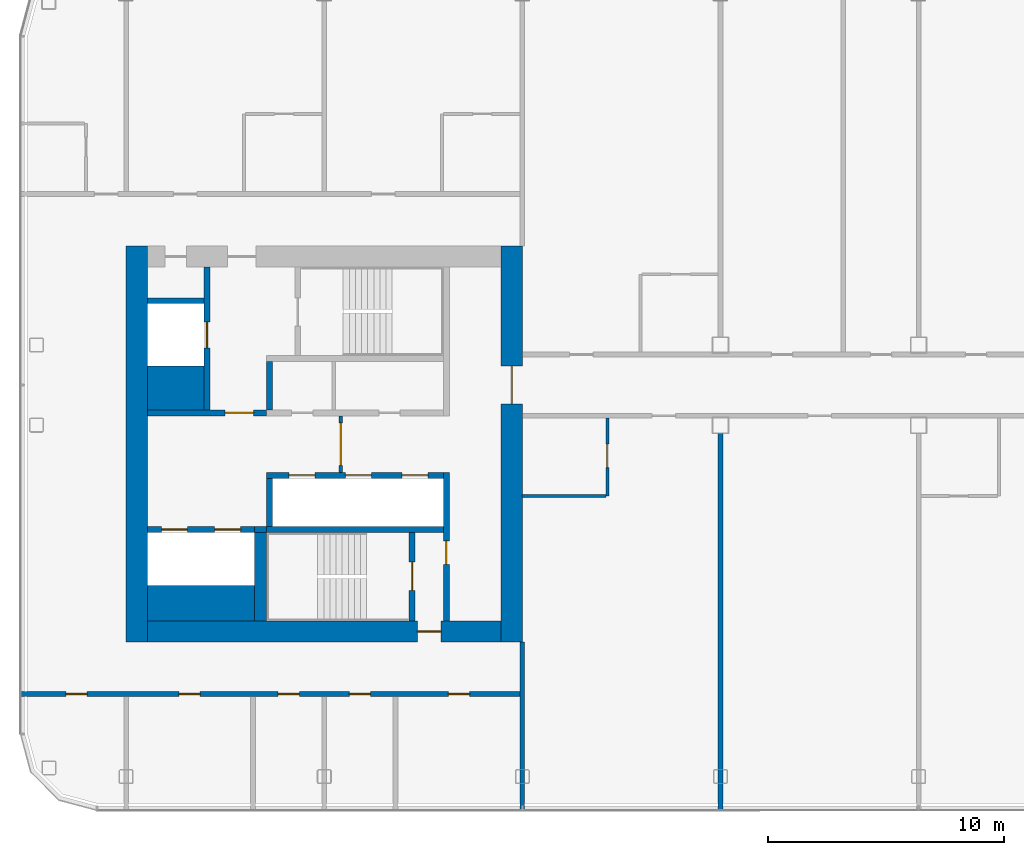
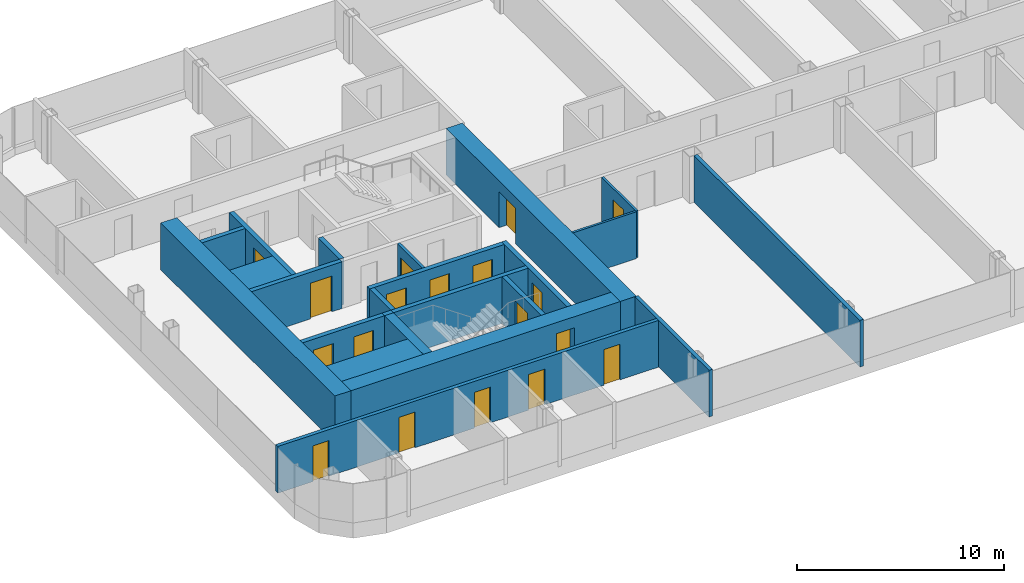
# One storey, part 13 of 25: 23 walls, 18 doors, 18 openings.
"""IFC4 building model written with IfcOpenShell, lengths in metres."""

from ifc_helpers import new_model, si_unit, direction, frame, frame_2d, origin, place, context, subcontext, project, spatial, rectangle, extrude, material, layer, layer_set, type_object, element, fill, save


model = new_model("IFC4")

# Units and contexts
model_context = context("Model", 3, precision=1e-05, world=origin(), true_north=direction((0.0, 1.0)))
body_context = subcontext(model_context, "Body", "Model", "MODEL_VIEW")
ifc_project = project(units=[si_unit("LENGTHUNIT", "METRE"), si_unit("AREAUNIT", "SQUARE_METRE"), si_unit("VOLUMEUNIT", "CUBIC_METRE"), si_unit("PLANEANGLEUNIT", "RADIAN"), si_unit("MASSUNIT", "GRAM", prefix="KILO")], contexts=[model_context])

# Site, building, storey
site_placement = place(None, origin())
site = spatial("IfcSite", under=ifc_project, at=site_placement, CompositionType="ELEMENT")
building_placement = place(site_placement, origin())
building = spatial("IfcBuilding", under=site, at=building_placement, Name="Hakoniwa Tower and Hamabe Station Hall", CompositionType="ELEMENT")
storey_placement = place(building_placement, frame((0.0, 0.0, 186.60009765625)))
storey = spatial("IfcBuildingStorey", under=building, at=storey_placement, Name="L52", CompositionType="ELEMENT", Elevation=186.60009765625)

# Wall
ifc_material_1 = material(Name="Gypsum board partition", Category="gypsum")
ifc_layer_1 = layer(ifc_material_1, 0.125)
ifc_layer_set_1 = layer_set([ifc_layer_1], Name="Bathroom Partition 125")
wall_type_1 = type_object("IfcWallType", Name="Bathroom Partition 125", PredefinedType="PARTITIONING", material=ifc_layer_set_1)
wall_1_placement = place(storey_placement, frame((-16.81005859375, -2.199951171875, 0.0), z_axis=(0.0, 0.0, 1.0), x_axis=(1.0, 0.0, 0.0)))
element("IfcWall", 1, at=wall_1_placement, inside=storey, type_object=wall_type_1, Name="GW-L52-003", PredefinedType="PARTITIONING", context=body_context, shape_type="SweptSolid", body=[
    extrude(rectangle(XDim=3.547607421875, YDim=0.125, at=frame_2d((1.77392578125, 0.0))), origin(), (0.0, 0.0, 1.0), 2.75),
])

# Wall, opening, door
wall_2_placement = place(storey_placement, frame((-13.199951171875, -2.199951171875, 0.0), z_axis=(0.0, 0.0, 1.0), x_axis=(0.0, 1.0, 0.0)))
wall_2 = element("IfcWall", 2, at=wall_2_placement, inside=storey, type_object=wall_type_1, Name="GW-L52-028", PredefinedType="PARTITIONING", context=body_context, shape_type="SweptSolid", body=[
    extrude(rectangle(XDim=3.300048828125, YDim=0.125, at=frame_2d((1.64990234375, 0.0))), origin(), (0.0, 0.0, 1.0), 2.75),
])
opening_1_placement = place(wall_2_placement, frame((1.199951171875, 0.0, 0.0)))
opening_1 = element("IfcOpeningElement", 3, at=opening_1_placement, cuts=wall_2, Name="Opening GD-G4A0-36", PredefinedType="OPENING", context=body_context, shape_type="SweptSolid", body=[
    extrude(rectangle(XDim=1.0, YDim=2.10009765625, at=frame_2d((0.5, 1.050048828125))), frame((0.0, 0.072509765625, 0.0), z_axis=(0.0, -1.0, 0.0), x_axis=(1.0, 0.0, 0.0)), (0.0, 0.0, 1.0), 0.14501953125),
])
ifc_material_2 = material(Name="Timber door leaf", Category="wood")
door_type_1 = type_object("IfcDoorType", Name="Accessible Bathroom Door 1000", OperationType="SINGLE_SWING_LEFT", PredefinedType="DOOR", material=ifc_material_2)
door_1_placement = place(opening_1_placement, origin())
door_1 = element("IfcDoor", 4, at=door_1_placement, inside=storey, type_object=door_type_1, Name="Door GD-G4A0-36", OperationType="SINGLE_SWING_LEFT", OverallHeight=2.10009765625, OverallWidth=1.0, PredefinedType="DOOR", context=body_context, shape_type="SweptSolid", body=[
    extrude(rectangle(XDim=1.0, YDim=2.10009765625, at=frame_2d((0.5, 1.050048828125))), frame((0.0, 0.02490234375, 0.0), z_axis=(0.0, -1.0, 0.0), x_axis=(1.0, 0.0, 0.0)), (0.0, 0.0, 1.0), 0.050048828125),
])
fill(opening_1, door_1)

ifc_material_3 = material(Name="Gypsum board partition")
ifc_layer_2 = layer(ifc_material_3, 0.14990234375)
ifc_layer_set_2 = layer_set([ifc_layer_2], Name="CORE PARTITION 150 EI 60")
wall_type_2 = type_object("IfcWallType", Name="CORE PARTITION 150 EI 60", PredefinedType="PARTITIONING", material=ifc_layer_set_2)
wall_3_placement = place(storey_placement, frame((-24.5, -1.199951171875, 0.0), z_axis=(0.0, 0.0, 1.0), x_axis=(0.0, 1.0, 0.0)))
wall_3 = element("IfcWall", 5, at=wall_3_placement, inside=storey, type_object=wall_type_2, Name="Core partition PL0 west", PredefinedType="PARTITIONING", context=body_context, shape_type="SweptSolid", body=[
    extrude(rectangle(XDim=2.39990234375, YDim=0.14990234375, at=frame_2d((1.199951171875, 0.0))), origin(), (0.0, 0.0, 1.0), 2.75),
])
opening_2_placement = place(wall_3_placement, frame((0.300048828125, 0.0, 0.0)))
opening_2 = element("IfcOpeningElement", 6, at=opening_2_placement, cuts=wall_3, Name="Opening CD-W-LP0-18", PredefinedType="OPENING", context=body_context, shape_type="SweptSolid", body=[
    extrude(rectangle(XDim=1.800048828125, YDim=2.10009765625, at=frame_2d((0.89990234375, 1.050048828125))), frame((0.0, 0.0849609375, 0.0), z_axis=(0.0, -1.0, 0.0), x_axis=(1.0, 0.0, 0.0)), (0.0, 0.0, 1.0), 0.169921875),
])
ifc_material_4 = material(Name="Steel fire door", Category="steel")
door_type_2 = type_object("IfcDoorType", Name="CORE DOOR 1800 FD60", OperationType="DOUBLE_DOOR_SINGLE_SWING", PredefinedType="DOOR", material=ifc_material_4)
door_2_placement = place(opening_2_placement, origin())
door_2 = element("IfcDoor", 7, at=door_2_placement, inside=storey, type_object=door_type_2, Name="Lift lobby partition door", OperationType="DOUBLE_DOOR_SINGLE_SWING", OverallHeight=2.10009765625, OverallWidth=1.800048828125, PredefinedType="DOOR", context=body_context, shape_type="SweptSolid", body=[
    extrude(rectangle(XDim=1.800048828125, YDim=2.10009765625, at=frame_2d((0.89990234375, 1.050048828125))), frame((0.0, 0.02490234375, 0.0), z_axis=(0.0, -1.0, 0.0), x_axis=(1.0, 0.0, 0.0)), (0.0, 0.0, 1.0), 0.050048828125),
])
fill(opening_2, door_2)

ifc_material_5 = material(Name="Concrete C60", Category="concrete")
ifc_layer_3 = layer(ifc_material_5, 0.89990234375)
ifc_layer_set_3 = layer_set([ifc_layer_3], Name="CORE WALL 900 C60")
wall_type_3 = type_object("IfcWallType", Name="CORE WALL 900 C60", PredefinedType="SHEAR", material=ifc_layer_set_3)
wall_4_placement = place(storey_placement, frame((-17.25, -8.39990234375, 0.0), z_axis=(0.0, 0.0, 1.0), x_axis=(0.0, 1.0, 0.0)))
wall_4 = element("IfcWall", 8, at=wall_4_placement, inside=storey, type_object=wall_type_3, Name="Core wall INNER west", PredefinedType="SHEAR", context=body_context, shape_type="SweptSolid", body=[
    extrude(rectangle(XDim=16.7998046875, YDim=0.89990234375, at=frame_2d((8.39990234375, 0.0))), origin(), (0.0, 0.0, 1.0), 2.75),
])
opening_3_placement = place(wall_4_placement, frame((10.10009765625, 0.0, 0.0)))
opening_3 = element("IfcOpeningElement", 9, at=opening_3_placement, cuts=wall_4, Name="Opening CD-W-IN1-16", PredefinedType="OPENING", context=body_context, shape_type="SweptSolid", body=[
    extrude(rectangle(XDim=1.60009765625, YDim=2.10009765625, at=frame_2d((0.800048828125, 1.050048828125))), frame((0.0, 0.4599609375, 0.0), z_axis=(0.0, -1.0, 0.0), x_axis=(1.0, 0.0, 0.0)), (0.0, 0.0, 1.0), 0.919921875),
])
ifc_material_6 = material(Name="Steel fire door", Category="steel")
door_type_3 = type_object("IfcDoorType", Name="CORE DOOR 1600 FD60", OperationType="DOUBLE_DOOR_SINGLE_SWING", PredefinedType="DOOR", material=ifc_material_6)
door_3_placement = place(opening_3_placement, origin())
door_3 = element("IfcDoor", 10, at=door_3_placement, inside=storey, type_object=door_type_3, Name="Lift lobby door", OperationType="DOUBLE_DOOR_SINGLE_SWING", OverallHeight=2.10009765625, OverallWidth=1.60009765625, PredefinedType="DOOR", context=body_context, shape_type="SweptSolid", body=[
    extrude(rectangle(XDim=1.60009765625, YDim=2.10009765625, at=frame_2d((0.800048828125, 1.050048828125))), frame((0.0, 0.02490234375, 0.0), z_axis=(0.0, -1.0, 0.0), x_axis=(1.0, 0.0, 0.0)), (0.0, 0.0, 1.0), 0.050048828125),
])
fill(opening_3, door_3)

# Wall
wall_5_placement = place(storey_placement, frame((-33.14990234375, -8.39990234375, 0.0), z_axis=(0.0, 0.0, 1.0), x_axis=(0.0, 1.0, 0.0)))
element("IfcWall", 11, at=wall_5_placement, inside=storey, type_object=wall_type_3, Name="Core wall OUTER west", PredefinedType="SHEAR", context=body_context, shape_type="SweptSolid", body=[
    extrude(rectangle(XDim=16.7998046875, YDim=0.89990234375, at=frame_2d((8.39990234375, 0.0))), origin(), (0.0, 0.0, 1.0), 2.75),
])

# Wall, opening, door
wall_6_placement = place(storey_placement, frame((-32.699951171875, -7.949951171875, 0.0), z_axis=(0.0, 0.0, 1.0), x_axis=(1.0, 0.0, 0.0)))
wall_6 = element("IfcWall", 12, at=wall_6_placement, inside=storey, type_object=wall_type_3, Name="Core wall SOUTH west", PredefinedType="SHEAR", context=body_context, shape_type="SweptSolid", body=[
    extrude(rectangle(XDim=15.0, YDim=0.89990234375, at=frame_2d((7.5, 0.0))), origin(), (0.0, 0.0, 1.0), 2.75),
])
opening_4_placement = place(wall_6_placement, frame((11.449951171875, 0.0, 0.0)))
opening_4 = element("IfcOpeningElement", 13, at=opening_4_placement, cuts=wall_6, Name="Opening CD-W-FS3-10", PredefinedType="OPENING", context=body_context, shape_type="SweptSolid", body=[
    extrude(rectangle(XDim=1.0, YDim=2.10009765625, at=frame_2d((0.5, 1.050048828125))), frame((0.0, 0.4599609375, 0.0), z_axis=(0.0, -1.0, 0.0), x_axis=(1.0, 0.0, 0.0)), (0.0, 0.0, 1.0), 0.919921875),
])
ifc_material_7 = material(Name="Steel fire door", Category="steel")
door_type_4 = type_object("IfcDoorType", Name="CORE DOOR 1000 FD60", OperationType="NOTDEFINED", PredefinedType="DOOR", material=ifc_material_7)
door_4_placement = place(opening_4_placement, origin())
door_4 = element("IfcDoor", 14, at=door_4_placement, inside=storey, type_object=door_type_4, Name="Stair vestibule door", OperationType="SINGLE_SWING_RIGHT", OverallHeight=2.10009765625, OverallWidth=1.0, PredefinedType="DOOR", context=body_context, shape_type="SweptSolid", body=[
    extrude(rectangle(XDim=1.0, YDim=2.10009765625, at=frame_2d((0.5, 1.050048828125))), frame((0.0, 0.02490234375, 0.0), z_axis=(0.0, -1.0, 0.0), x_axis=(1.0, 0.0, 0.0)), (0.0, 0.0, 1.0), 0.050048828125),
])
fill(opening_4, door_4)

# Walls
ifc_material_8 = material(Name="Concrete C60", Category="concrete")
ifc_layer_4 = layer(ifc_material_8, 1.5)
ifc_layer_set_4 = layer_set([ifc_layer_4], Name="CORE WEB WALL 1500 C60")
wall_type_4 = type_object("IfcWallType", Name="CORE WEB WALL 1500 C60", PredefinedType="SHEAR", material=ifc_layer_set_4)
wall_7_placement = place(storey_placement, frame((-32.699951171875, -6.75, 0.0), z_axis=(0.0, 0.0, 1.0), x_axis=(1.0, 0.0, 0.0)))
element("IfcWall", 15, at=wall_7_placement, inside=storey, type_object=wall_type_4, Name="Core wall SER west", PredefinedType="SHEAR", context=body_context, shape_type="SweptSolid", body=[
    extrude(rectangle(XDim=4.550048828125, YDim=1.5, at=frame_2d((2.27490234375, 0.0))), origin(), (0.0, 0.0, 1.0), 2.75),
])
ifc_material_9 = material(Name="Concrete C60", Category="concrete")
ifc_layer_5 = layer(ifc_material_9, 1.85009765625)
ifc_layer_set_5 = layer_set([ifc_layer_5], Name="CORE WEB WALL 1850 C60")
wall_type_5 = type_object("IfcWallType", Name="CORE WEB WALL 1850 C60", PredefinedType="SHEAR", material=ifc_layer_set_5)
wall_8_placement = place(storey_placement, frame((-32.699951171875, 2.375, 0.0), z_axis=(0.0, 0.0, 1.0), x_axis=(1.0, 0.0, 0.0)))
element("IfcWall", 16, at=wall_8_placement, inside=storey, type_object=wall_type_5, Name="Core wall CA west", PredefinedType="SHEAR", context=body_context, shape_type="SweptSolid", body=[
    extrude(rectangle(XDim=2.39990234375, YDim=1.85009765625, at=frame_2d((1.199951171875, 0.0))), origin(), (0.0, 0.0, 1.0), 2.75),
])

# Wall, opening, door
ifc_material_10 = material(Name="Concrete C60", Category="concrete")
ifc_layer_6 = layer(ifc_material_10, 0.25)
ifc_layer_set_6 = layer_set([ifc_layer_6], Name="CORE WEB WALL 250 C60")
wall_type_6 = type_object("IfcWallType", Name="CORE WEB WALL 250 C60", PredefinedType="SHEAR", material=ifc_layer_set_6)
wall_9_placement = place(storey_placement, frame((-20.02490234375, -7.5, 0.0), z_axis=(0.0, 0.0, 1.0), x_axis=(0.0, 1.0, 0.0)))
wall_9 = element("IfcWall", 17, at=wall_9_placement, inside=storey, type_object=wall_type_6, Name="Core wall W1S west", PredefinedType="SHEAR", context=body_context, shape_type="SweptSolid", body=[
    extrude(rectangle(XDim=6.300048828125, YDim=0.25, at=frame_2d((3.14990234375, 0.0))), origin(), (0.0, 0.0, 1.0), 2.75),
])
opening_5_placement = place(wall_9_placement, frame((2.39990234375, 0.0, 0.0)))
opening_5 = element("IfcOpeningElement", 18, at=opening_5_placement, cuts=wall_9, Name="Opening CD-W-VS-10", PredefinedType="OPENING", context=body_context, shape_type="SweptSolid", body=[
    extrude(rectangle(XDim=1.0, YDim=2.10009765625, at=frame_2d((0.5, 1.050048828125))), frame((0.0, 0.135009765625, 0.0), z_axis=(0.0, -1.0, 0.0), x_axis=(1.0, 0.0, 0.0)), (0.0, 0.0, 1.0), 0.27001953125),
])
door_5_placement = place(opening_5_placement, origin())
door_5 = element("IfcDoor", 19, at=door_5_placement, inside=storey, type_object=door_type_4, Name="Stair vestibule door", OperationType="SINGLE_SWING_LEFT", OverallHeight=2.10009765625, OverallWidth=1.0, PredefinedType="DOOR", context=body_context, shape_type="SweptSolid", body=[
    extrude(rectangle(XDim=1.0, YDim=2.10009765625, at=frame_2d((0.5, 1.050048828125))), frame((0.0, 0.02490234375, 0.0), z_axis=(0.0, -1.0, 0.0), x_axis=(1.0, 0.0, 0.0)), (0.0, 0.0, 1.0), 0.050048828125),
])
fill(opening_5, door_5)

# Wall
wall_10_placement = place(storey_placement, frame((-27.52490234375, 1.449951171875, 0.0), z_axis=(0.0, 0.0, 1.0), x_axis=(0.0, 1.0, 0.0)))
element("IfcWall", 20, at=wall_10_placement, inside=storey, type_object=wall_type_6, Name="Core wall NE west", PredefinedType="SHEAR", context=body_context, shape_type="SweptSolid", body=[
    extrude(rectangle(XDim=2.050048828125, YDim=0.25, at=frame_2d((1.02490234375, 0.0))), origin(), (0.0, 0.0, 1.0), 2.75),
])

# Wall, opening, door
wall_11_placement = place(storey_placement, frame((-32.699951171875, 1.324951171875, 0.0), z_axis=(0.0, 0.0, 1.0), x_axis=(1.0, 0.0, 0.0)))
wall_11 = element("IfcWall", 21, at=wall_11_placement, inside=storey, type_object=wall_type_6, Name="Core wall ELN west", PredefinedType="SHEAR", context=body_context, shape_type="SweptSolid", body=[
    extrude(rectangle(XDim=5.050048828125, YDim=0.25, at=frame_2d((2.52490234375, 0.0))), origin(), (0.0, 0.0, 1.0), 2.75),
])
opening_6_placement = place(wall_11_placement, frame((3.300048828125, 0.0, 0.0)))
opening_6 = element("IfcOpeningElement", 22, at=opening_6_placement, cuts=wall_11, Name="Opening CD-W-FL-12", PredefinedType="OPENING", context=body_context, shape_type="SweptSolid", body=[
    extrude(rectangle(XDim=1.199951171875, YDim=2.10009765625, at=frame_2d((0.60009765625, 1.050048828125))), frame((0.0, 0.135009765625, 0.0), z_axis=(0.0, -1.0, 0.0), x_axis=(1.0, 0.0, 0.0)), (0.0, 0.0, 1.0), 0.27001953125),
])
ifc_material_11 = material(Name="Steel fire door", Category="steel")
door_type_5 = type_object("IfcDoorType", Name="CORE DOOR 1200 FD60", OperationType="DOUBLE_DOOR_SINGLE_SWING", PredefinedType="DOOR", material=ifc_material_11)
door_6_placement = place(opening_6_placement, origin())
door_6 = element("IfcDoor", 23, at=door_6_placement, inside=storey, type_object=door_type_5, Name="Stair vestibule door to the fire-fighting lobby", OperationType="DOUBLE_DOOR_SINGLE_SWING", OverallHeight=2.10009765625, OverallWidth=1.199951171875, PredefinedType="DOOR", context=body_context, shape_type="SweptSolid", body=[
    extrude(rectangle(XDim=1.199951171875, YDim=2.10009765625, at=frame_2d((0.60009765625, 1.050048828125))), frame((0.0, 0.02490234375, 0.0), z_axis=(0.0, -1.0, 0.0), x_axis=(1.0, 0.0, 0.0)), (0.0, 0.0, 1.0), 0.050048828125),
])
fill(opening_6, door_6)

wall_12_placement = place(storey_placement, frame((-30.175048828125, 1.449951171875, 0.0), z_axis=(0.0, 0.0, 1.0), x_axis=(0.0, 1.0, 0.0)))
wall_12 = element("IfcWall", 24, at=wall_12_placement, inside=storey, type_object=wall_type_6, Name="Core wall FFF west", PredefinedType="SHEAR", context=body_context, shape_type="SweptSolid", body=[
    extrude(rectangle(XDim=6.050048828125, YDim=0.25, at=frame_2d((3.02490234375, 0.0))), origin(), (0.0, 0.0, 1.0), 2.75),
])
opening_7_placement = place(wall_12_placement, frame((2.625, 0.0, 0.0)))
opening_7 = element("IfcOpeningElement", 25, at=opening_7_placement, cuts=wall_12, Name="Opening LD-FF1", PredefinedType="OPENING", context=body_context, shape_type="SweptSolid", body=[
    extrude(rectangle(XDim=1.10009765625, YDim=2.10009765625, at=frame_2d((0.550048828125, 1.050048828125))), frame((0.0, 0.135009765625, 0.0), z_axis=(0.0, -1.0, 0.0), x_axis=(1.0, 0.0, 0.0)), (0.0, 0.0, 1.0), 0.27001953125),
])
ifc_material_12 = material(Name="Stainless steel SUS304", Category="steel")
door_type_6 = type_object("IfcDoorType", Name="LIFT LANDING DOOR 1100 FD60", OperationType="DOUBLE_DOOR_SLIDING", PredefinedType="DOOR", material=ifc_material_12)
door_7_placement = place(opening_7_placement, origin())
door_7 = element("IfcDoor", 26, at=door_7_placement, inside=storey, type_object=door_type_6, Name="Lift landing door FF1 L52", OperationType="DOUBLE_DOOR_SLIDING", OverallHeight=2.10009765625, OverallWidth=1.10009765625, PredefinedType="DOOR", context=body_context, shape_type="SweptSolid", body=[
    extrude(rectangle(XDim=1.10009765625, YDim=2.10009765625, at=frame_2d((0.550048828125, 1.050048828125))), frame((0.0, 0.02490234375, 0.0), z_axis=(0.0, -1.0, 0.0), x_axis=(1.0, 0.0, 0.0)), (0.0, 0.0, 1.0), 0.050048828125),
])
fill(opening_7, door_7)

# Wall
wall_13_placement = place(storey_placement, frame((-32.699951171875, 6.074951171875, 0.0), z_axis=(0.0, 0.0, 1.0), x_axis=(1.0, 0.0, 0.0)))
element("IfcWall", 27, at=wall_13_placement, inside=storey, type_object=wall_type_6, Name="Core wall C2 west", PredefinedType="SHEAR", context=body_context, shape_type="SweptSolid", body=[
    extrude(rectangle(XDim=2.39990234375, YDim=0.25, at=frame_2d((1.199951171875, 0.0))), origin(), (0.0, 0.0, 1.0), 2.75),
])

# Wall, openings, doors
wall_14_placement = place(storey_placement, frame((-27.64990234375, -1.324951171875, 0.0), z_axis=(0.0, 0.0, 1.0), x_axis=(1.0, 0.0, 0.0)))
wall_14 = element("IfcWall", 28, at=wall_14_placement, inside=storey, type_object=wall_type_6, Name="Core wall SF west", PredefinedType="SHEAR", context=body_context, shape_type="SweptSolid", body=[
    extrude(rectangle(XDim=7.5, YDim=0.25, at=frame_2d((3.75, 0.0))), origin(), (0.0, 0.0, 1.0), 2.75),
])
opening_8_placement = place(wall_14_placement, frame((5.75, 0.0, 0.0)))
opening_8 = element("IfcOpeningElement", 29, at=opening_8_placement, cuts=wall_14, Name="Opening LD-HR1", PredefinedType="OPENING", context=body_context, shape_type="SweptSolid", body=[
    extrude(rectangle(XDim=1.10009765625, YDim=2.10009765625, at=frame_2d((0.550048828125, 1.050048828125))), frame((0.0, 0.135009765625, 0.0), z_axis=(0.0, -1.0, 0.0), x_axis=(1.0, 0.0, 0.0)), (0.0, 0.0, 1.0), 0.27001953125),
])
opening_9_placement = place(wall_14_placement, frame((3.35009765625, 0.0, 0.0)))
opening_9 = element("IfcOpeningElement", 30, at=opening_9_placement, cuts=wall_14, Name="Opening LD-HR2", PredefinedType="OPENING", context=body_context, shape_type="SweptSolid", body=[
    extrude(rectangle(XDim=1.10009765625, YDim=2.10009765625, at=frame_2d((0.550048828125, 1.050048828125))), frame((0.0, 0.135009765625, 0.0), z_axis=(0.0, -1.0, 0.0), x_axis=(1.0, 0.0, 0.0)), (0.0, 0.0, 1.0), 0.27001953125),
])
opening_10_placement = place(wall_14_placement, frame((0.949951171875, 0.0, 0.0)))
opening_10 = element("IfcOpeningElement", 31, at=opening_10_placement, cuts=wall_14, Name="Opening LD-HR3", PredefinedType="OPENING", context=body_context, shape_type="SweptSolid", body=[
    extrude(rectangle(XDim=1.10009765625, YDim=2.10009765625, at=frame_2d((0.550048828125, 1.050048828125))), frame((0.0, 0.135009765625, 0.0), z_axis=(0.0, -1.0, 0.0), x_axis=(1.0, 0.0, 0.0)), (0.0, 0.0, 1.0), 0.27001953125),
])
door_8_placement = place(opening_8_placement, origin())
door_8 = element("IfcDoor", 32, at=door_8_placement, inside=storey, type_object=door_type_6, Name="Lift landing door HR1 L52", OperationType="DOUBLE_DOOR_SLIDING", OverallHeight=2.10009765625, OverallWidth=1.10009765625, PredefinedType="DOOR", context=body_context, shape_type="SweptSolid", body=[
    extrude(rectangle(XDim=1.10009765625, YDim=2.10009765625, at=frame_2d((0.550048828125, 1.050048828125))), frame((0.0, 0.02490234375, 0.0), z_axis=(0.0, -1.0, 0.0), x_axis=(1.0, 0.0, 0.0)), (0.0, 0.0, 1.0), 0.050048828125),
])
fill(opening_8, door_8)
door_9_placement = place(opening_9_placement, origin())
door_9 = element("IfcDoor", 33, at=door_9_placement, inside=storey, type_object=door_type_6, Name="Lift landing door HR2 L52", OperationType="DOUBLE_DOOR_SLIDING", OverallHeight=2.10009765625, OverallWidth=1.10009765625, PredefinedType="DOOR", context=body_context, shape_type="SweptSolid", body=[
    extrude(rectangle(XDim=1.10009765625, YDim=2.10009765625, at=frame_2d((0.550048828125, 1.050048828125))), frame((0.0, 0.02490234375, 0.0), z_axis=(0.0, -1.0, 0.0), x_axis=(1.0, 0.0, 0.0)), (0.0, 0.0, 1.0), 0.050048828125),
])
fill(opening_9, door_9)
door_10_placement = place(opening_10_placement, origin())
door_10 = element("IfcDoor", 34, at=door_10_placement, inside=storey, type_object=door_type_6, Name="Lift landing door HR3 L52", OperationType="DOUBLE_DOOR_SLIDING", OverallHeight=2.10009765625, OverallWidth=1.10009765625, PredefinedType="DOOR", context=body_context, shape_type="SweptSolid", body=[
    extrude(rectangle(XDim=1.10009765625, YDim=2.10009765625, at=frame_2d((0.550048828125, 1.050048828125))), frame((0.0, 0.02490234375, 0.0), z_axis=(0.0, -1.0, 0.0), x_axis=(1.0, 0.0, 0.0)), (0.0, 0.0, 1.0), 0.050048828125),
])
fill(opening_10, door_10)

# Walls
wall_15_placement = place(storey_placement, frame((-27.52490234375, -3.5, 0.0), z_axis=(0.0, 0.0, 1.0), x_axis=(0.0, 1.0, 0.0)))
element("IfcWall", 35, at=wall_15_placement, inside=storey, type_object=wall_type_6, Name="Core wall SE west", PredefinedType="SHEAR", context=body_context, shape_type="SweptSolid", body=[
    extrude(rectangle(XDim=2.050048828125, YDim=0.25, at=frame_2d((1.02490234375, 0.0))), origin(), (0.0, 0.0, 1.0), 2.75),
])
wall_16_placement = place(storey_placement, frame((-27.64990234375, -3.625, 0.0), z_axis=(0.0, 0.0, 1.0), x_axis=(1.0, 0.0, 0.0)))
element("IfcWall", 36, at=wall_16_placement, inside=storey, type_object=wall_type_6, Name="Core wall SR west", PredefinedType="SHEAR", context=body_context, shape_type="SweptSolid", body=[
    extrude(rectangle(XDim=7.5, YDim=0.25, at=frame_2d((3.75, 0.0))), origin(), (0.0, 0.0, 1.0), 2.75),
])

# Wall, opening, door
wall_17_placement = place(storey_placement, frame((-21.47509765625, -7.5, 0.0), z_axis=(0.0, 0.0, 1.0), x_axis=(0.0, 1.0, 0.0)))
wall_17 = element("IfcWall", 37, at=wall_17_placement, inside=storey, type_object=wall_type_6, Name="Core wall VE west", PredefinedType="SHEAR", context=body_context, shape_type="SweptSolid", body=[
    extrude(rectangle(XDim=3.75, YDim=0.25, at=frame_2d((1.875, 0.0))), origin(), (0.0, 0.0, 1.0), 2.75),
])
opening_11_placement = place(wall_17_placement, frame((1.300048828125, 0.0, 0.0)))
opening_11 = element("IfcOpeningElement", 38, at=opening_11_placement, cuts=wall_17, Name="Opening CD-W-SS-12", PredefinedType="OPENING", context=body_context, shape_type="SweptSolid", body=[
    extrude(rectangle(XDim=1.199951171875, YDim=2.10009765625, at=frame_2d((0.60009765625, 1.050048828125))), frame((0.0, 0.135009765625, 0.0), z_axis=(0.0, -1.0, 0.0), x_axis=(1.0, 0.0, 0.0)), (0.0, 0.0, 1.0), 0.27001953125),
])
door_11_placement = place(opening_11_placement, origin())
door_11 = element("IfcDoor", 39, at=door_11_placement, inside=storey, type_object=door_type_5, Name="Escape stair door", OperationType="DOUBLE_DOOR_SINGLE_SWING", OverallHeight=2.10009765625, OverallWidth=1.199951171875, PredefinedType="DOOR", context=body_context, shape_type="SweptSolid", body=[
    extrude(rectangle(XDim=1.199951171875, YDim=2.10009765625, at=frame_2d((0.60009765625, 1.050048828125))), frame((0.0, 0.02490234375, 0.0), z_axis=(0.0, -1.0, 0.0), x_axis=(1.0, 0.0, 0.0)), (0.0, 0.0, 1.0), 0.050048828125),
])
fill(opening_11, door_11)

# Wall, openings, doors
wall_18_placement = place(storey_placement, frame((-32.699951171875, -3.625, 0.0), z_axis=(0.0, 0.0, 1.0), x_axis=(1.0, 0.0, 0.0)))
wall_18 = element("IfcWall", 40, at=wall_18_placement, inside=storey, type_object=wall_type_6, Name="Core wall SEF west", PredefinedType="SHEAR", context=body_context, shape_type="SweptSolid", body=[
    extrude(rectangle(XDim=4.550048828125, YDim=0.25, at=frame_2d((2.27490234375, 0.0))), origin(), (0.0, 0.0, 1.0), 2.75),
])
opening_12_placement = place(wall_18_placement, frame((2.85009765625, 0.0, 0.0)))
opening_12 = element("IfcOpeningElement", 41, at=opening_12_placement, cuts=wall_18, Name="Opening LD-SV1", PredefinedType="OPENING", context=body_context, shape_type="SweptSolid", body=[
    extrude(rectangle(XDim=1.10009765625, YDim=2.10009765625, at=frame_2d((0.550048828125, 1.050048828125))), frame((0.0, 0.135009765625, 0.0), z_axis=(0.0, -1.0, 0.0), x_axis=(1.0, 0.0, 0.0)), (0.0, 0.0, 1.0), 0.27001953125),
])
opening_13_placement = place(wall_18_placement, frame((0.60009765625, 0.0, 0.0)))
opening_13 = element("IfcOpeningElement", 42, at=opening_13_placement, cuts=wall_18, Name="Opening LD-SV2", PredefinedType="OPENING", context=body_context, shape_type="SweptSolid", body=[
    extrude(rectangle(XDim=1.10009765625, YDim=2.10009765625, at=frame_2d((0.550048828125, 1.050048828125))), frame((0.0, 0.135009765625, 0.0), z_axis=(0.0, -1.0, 0.0), x_axis=(1.0, 0.0, 0.0)), (0.0, 0.0, 1.0), 0.27001953125),
])
door_12_placement = place(opening_12_placement, origin())
door_12 = element("IfcDoor", 43, at=door_12_placement, inside=storey, type_object=door_type_6, Name="Lift landing door SV1 L52", OperationType="DOUBLE_DOOR_SLIDING", OverallHeight=2.10009765625, OverallWidth=1.10009765625, PredefinedType="DOOR", context=body_context, shape_type="SweptSolid", body=[
    extrude(rectangle(XDim=1.10009765625, YDim=2.10009765625, at=frame_2d((0.550048828125, 1.050048828125))), frame((0.0, 0.02490234375, 0.0), z_axis=(0.0, -1.0, 0.0), x_axis=(1.0, 0.0, 0.0)), (0.0, 0.0, 1.0), 0.050048828125),
])
fill(opening_12, door_12)
door_13_placement = place(opening_13_placement, origin())
door_13 = element("IfcDoor", 44, at=door_13_placement, inside=storey, type_object=door_type_6, Name="Lift landing door SV2 L52", OperationType="DOUBLE_DOOR_SLIDING", OverallHeight=2.10009765625, OverallWidth=1.10009765625, PredefinedType="DOOR", context=body_context, shape_type="SweptSolid", body=[
    extrude(rectangle(XDim=1.10009765625, YDim=2.10009765625, at=frame_2d((0.550048828125, 1.050048828125))), frame((0.0, 0.02490234375, 0.0), z_axis=(0.0, -1.0, 0.0), x_axis=(1.0, 0.0, 0.0)), (0.0, 0.0, 1.0), 0.050048828125),
])
fill(opening_13, door_13)

# Walls
wall_19_placement = place(storey_placement, frame((-28.14990234375, -3.625, 0.0), z_axis=(0.0, 0.0, 1.0), x_axis=(1.0, 0.0, 0.0)))
element("IfcWall", 45, at=wall_19_placement, inside=storey, type_object=wall_type_6, Name="Core wall SRK west", PredefinedType="SHEAR", context=body_context, shape_type="SweptSolid", body=[
    extrude(rectangle(XDim=0.5, YDim=0.25, at=frame_2d((0.25, 0.0))), origin(), (0.0, 0.0, 1.0), 2.75),
])
ifc_material_13 = material(Name="Concrete C60", Category="concrete")
ifc_layer_7 = layer(ifc_material_13, 0.5)
ifc_layer_set_7 = layer_set([ifc_layer_7], Name="CORE WEB WALL 500 C60")
wall_type_7 = type_object("IfcWallType", Name="CORE WEB WALL 500 C60", PredefinedType="SHEAR", material=ifc_layer_set_7)
wall_20_placement = place(storey_placement, frame((-27.89990234375, -7.5, 0.0), z_axis=(0.0, 0.0, 1.0), x_axis=(0.0, 1.0, 0.0)))
element("IfcWall", 46, at=wall_20_placement, inside=storey, type_object=wall_type_7, Name="Core wall SSE west", PredefinedType="SHEAR", context=body_context, shape_type="SweptSolid", body=[
    extrude(rectangle(XDim=3.75, YDim=0.5, at=frame_2d((1.875, 0.0))), origin(), (0.0, 0.0, 1.0), 2.75),
])

# Wall, openings, doors
ifc_material_14 = material(Name="Fire-rated gypsum board partition", Category="gypsum")
ifc_layer_8 = layer(ifc_material_14, 0.199951171875)
ifc_layer_set_8 = layer_set([ifc_layer_8], Name="Corridor Wall 200")
wall_type_8 = type_object("IfcWallType", Name="Corridor Wall 200", PredefinedType="PARTITIONING", material=ifc_layer_set_8)
wall_21_placement = place(storey_placement, frame((-38.10009765625, -10.60009765625, 0.0), z_axis=(0.0, 0.0, 1.0), x_axis=(1.0, 0.0, 0.0)))
wall_21 = element("IfcWall", 47, at=wall_21_placement, inside=storey, type_object=wall_type_8, Name="GW-L52-001", PredefinedType="PARTITIONING", context=body_context, shape_type="SweptSolid", body=[
    extrude(rectangle(XDim=21.300048828125, YDim=0.199951171875, at=frame_2d((10.64990234375, 0.0))), origin(), (0.0, 0.0, 1.0), 2.75),
])
opening_14_placement = place(wall_21_placement, frame((1.949951171875, 0.0, 0.0)))
opening_14 = element("IfcOpeningElement", 48, at=opening_14_placement, cuts=wall_21, Name="Opening GD-G4A0-01", PredefinedType="OPENING", context=body_context, shape_type="SweptSolid", body=[
    extrude(rectangle(XDim=0.89990234375, YDim=2.10009765625, at=frame_2d((0.449951171875, 1.050048828125))), frame((0.0, 0.10986328125, 0.0), z_axis=(0.0, -1.0, 0.0), x_axis=(1.0, 0.0, 0.0)), (0.0, 0.0, 1.0), 0.219970703125),
])
opening_15_placement = place(wall_21_placement, frame((6.739990234375, 0.0, 0.0)))
opening_15 = element("IfcOpeningElement", 49, at=opening_15_placement, cuts=wall_21, Name="Opening GD-G4A0-02", PredefinedType="OPENING", context=body_context, shape_type="SweptSolid", body=[
    extrude(rectangle(XDim=0.89990234375, YDim=2.10009765625, at=frame_2d((0.449951171875, 1.050048828125))), frame((0.0, 0.10986328125, 0.0), z_axis=(0.0, -1.0, 0.0), x_axis=(1.0, 0.0, 0.0)), (0.0, 0.0, 1.0), 0.219970703125),
])
opening_16_placement = place(wall_21_placement, frame((10.93994140625, 0.0, 0.0)))
opening_16 = element("IfcOpeningElement", 50, at=opening_16_placement, cuts=wall_21, Name="Opening GD-G4A0-03", PredefinedType="OPENING", context=body_context, shape_type="SweptSolid", body=[
    extrude(rectangle(XDim=0.89990234375, YDim=2.10009765625, at=frame_2d((0.449951171875, 1.050048828125))), frame((0.0, 0.10986328125, 0.0), z_axis=(0.0, -1.0, 0.0), x_axis=(1.0, 0.0, 0.0)), (0.0, 0.0, 1.0), 0.219970703125),
])
opening_17_placement = place(wall_21_placement, frame((13.9599609375, 0.0, 0.0)))
opening_17 = element("IfcOpeningElement", 51, at=opening_17_placement, cuts=wall_21, Name="Opening GD-G4A0-04", PredefinedType="OPENING", context=body_context, shape_type="SweptSolid", body=[
    extrude(rectangle(XDim=0.89990234375, YDim=2.10009765625, at=frame_2d((0.449951171875, 1.050048828125))), frame((0.0, 0.10986328125, 0.0), z_axis=(0.0, -1.0, 0.0), x_axis=(1.0, 0.0, 0.0)), (0.0, 0.0, 1.0), 0.219970703125),
])
opening_18_placement = place(wall_21_placement, frame((18.159912109375, 0.0, 0.0)))
opening_18 = element("IfcOpeningElement", 52, at=opening_18_placement, cuts=wall_21, Name="Opening GD-G4A0-05", PredefinedType="OPENING", context=body_context, shape_type="SweptSolid", body=[
    extrude(rectangle(XDim=0.89990234375, YDim=2.10009765625, at=frame_2d((0.449951171875, 1.050048828125))), frame((0.0, 0.10986328125, 0.0), z_axis=(0.0, -1.0, 0.0), x_axis=(1.0, 0.0, 0.0)), (0.0, 0.0, 1.0), 0.219970703125),
])
ifc_material_15 = material(Name="Timber door leaf", Category="wood")
door_type_7 = type_object("IfcDoorType", Name="Service Door 900", OperationType="SINGLE_SWING_LEFT", PredefinedType="DOOR", material=ifc_material_15)
door_14_placement = place(opening_14_placement, origin())
door_14 = element("IfcDoor", 53, at=door_14_placement, inside=storey, type_object=door_type_7, Name="Door GD-G4A0-01", OperationType="SINGLE_SWING_RIGHT", OverallHeight=2.10009765625, OverallWidth=0.89990234375, PredefinedType="DOOR", context=body_context, shape_type="SweptSolid", body=[
    extrude(rectangle(XDim=0.89990234375, YDim=2.10009765625, at=frame_2d((0.449951171875, 1.050048828125))), frame((0.0, 0.02490234375, 0.0), z_axis=(0.0, -1.0, 0.0), x_axis=(1.0, 0.0, 0.0)), (0.0, 0.0, 1.0), 0.050048828125),
])
fill(opening_14, door_14)
door_15_placement = place(opening_15_placement, origin())
door_15 = element("IfcDoor", 54, at=door_15_placement, inside=storey, type_object=door_type_7, Name="Door GD-G4A0-02", OperationType="SINGLE_SWING_LEFT", OverallHeight=2.10009765625, OverallWidth=0.89990234375, PredefinedType="DOOR", context=body_context, shape_type="SweptSolid", body=[
    extrude(rectangle(XDim=0.89990234375, YDim=2.10009765625, at=frame_2d((0.449951171875, 1.050048828125))), frame((0.0, 0.02490234375, 0.0), z_axis=(0.0, -1.0, 0.0), x_axis=(1.0, 0.0, 0.0)), (0.0, 0.0, 1.0), 0.050048828125),
])
fill(opening_15, door_15)
door_16_placement = place(opening_16_placement, origin())
door_16 = element("IfcDoor", 55, at=door_16_placement, inside=storey, type_object=door_type_7, Name="Door GD-G4A0-03", OperationType="SINGLE_SWING_RIGHT", OverallHeight=2.10009765625, OverallWidth=0.89990234375, PredefinedType="DOOR", context=body_context, shape_type="SweptSolid", body=[
    extrude(rectangle(XDim=0.89990234375, YDim=2.10009765625, at=frame_2d((0.449951171875, 1.050048828125))), frame((0.0, 0.02490234375, 0.0), z_axis=(0.0, -1.0, 0.0), x_axis=(1.0, 0.0, 0.0)), (0.0, 0.0, 1.0), 0.050048828125),
])
fill(opening_16, door_16)
door_17_placement = place(opening_17_placement, origin())
door_17 = element("IfcDoor", 56, at=door_17_placement, inside=storey, type_object=door_type_7, Name="Door GD-G4A0-04", OperationType="SINGLE_SWING_LEFT", OverallHeight=2.10009765625, OverallWidth=0.89990234375, PredefinedType="DOOR", context=body_context, shape_type="SweptSolid", body=[
    extrude(rectangle(XDim=0.89990234375, YDim=2.10009765625, at=frame_2d((0.449951171875, 1.050048828125))), frame((0.0, 0.02490234375, 0.0), z_axis=(0.0, -1.0, 0.0), x_axis=(1.0, 0.0, 0.0)), (0.0, 0.0, 1.0), 0.050048828125),
])
fill(opening_17, door_17)
door_18_placement = place(opening_18_placement, origin())
door_18 = element("IfcDoor", 57, at=door_18_placement, inside=storey, type_object=door_type_7, Name="Door GD-G4A0-05", OperationType="SINGLE_SWING_RIGHT", OverallHeight=2.10009765625, OverallWidth=0.89990234375, PredefinedType="DOOR", context=body_context, shape_type="SweptSolid", body=[
    extrude(rectangle(XDim=0.89990234375, YDim=2.10009765625, at=frame_2d((0.449951171875, 1.050048828125))), frame((0.0, 0.02490234375, 0.0), z_axis=(0.0, -1.0, 0.0), x_axis=(1.0, 0.0, 0.0)), (0.0, 0.0, 1.0), 0.050048828125),
])
fill(opening_18, door_18)

# Walls
ifc_material_16 = material(Name="Fire-rated gypsum board partition", Category="gypsum")
ifc_layer_9 = layer(ifc_material_16, 0.199951171875)
ifc_layer_set_9 = layer_set([ifc_layer_9], Name="Party Wall 200")
wall_type_9 = type_object("IfcWallType", Name="Party Wall 200", PredefinedType="PARTITIONING", material=ifc_layer_set_9)
wall_22_placement = place(storey_placement, frame((-16.800048828125, -15.550048828125, 0.0), z_axis=(0.0, 0.0, 1.0), x_axis=(0.0, 1.0, 0.0)))
element("IfcWall", 58, at=wall_22_placement, inside=storey, type_object=wall_type_9, Name="GW-L52-026", PredefinedType="PARTITIONING", context=body_context, shape_type="SweptSolid", body=[
    extrude(rectangle(XDim=7.16015625, YDim=0.199951171875, at=frame_2d((3.580078125, 0.0))), origin(), (0.0, 0.0, 1.0), 2.75),
])
wall_23_placement = place(storey_placement, frame((-8.39990234375, -15.550048828125, 0.0), z_axis=(0.0, 0.0, 1.0), x_axis=(0.0, 1.0, 0.0)))
element("IfcWall", 59, at=wall_23_placement, inside=storey, type_object=wall_type_9, Name="GW-L52-030", PredefinedType="PARTITIONING", context=body_context, shape_type="SweptSolid", body=[
    extrude(rectangle(XDim=16.010009765625, YDim=0.199951171875, at=frame_2d((8.0048828125, 0.0))), origin(), (0.0, 0.0, 1.0), 2.75),
])

save(model, "model.ifc")
